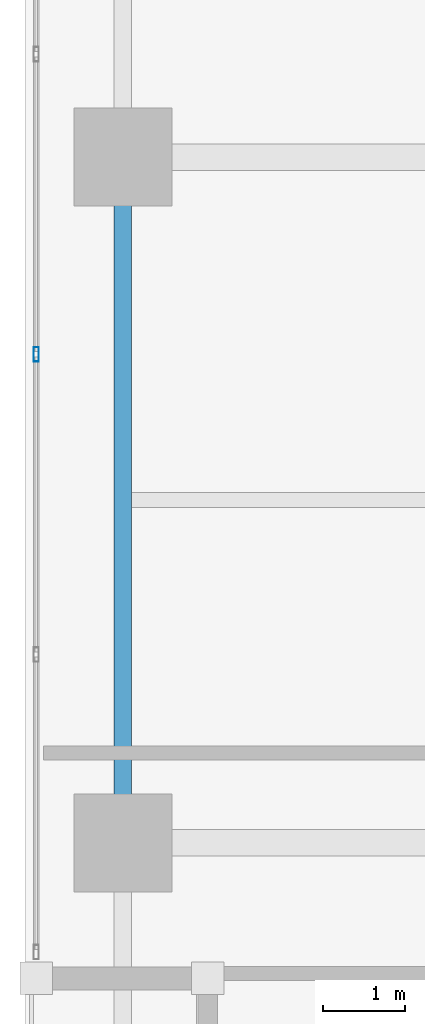
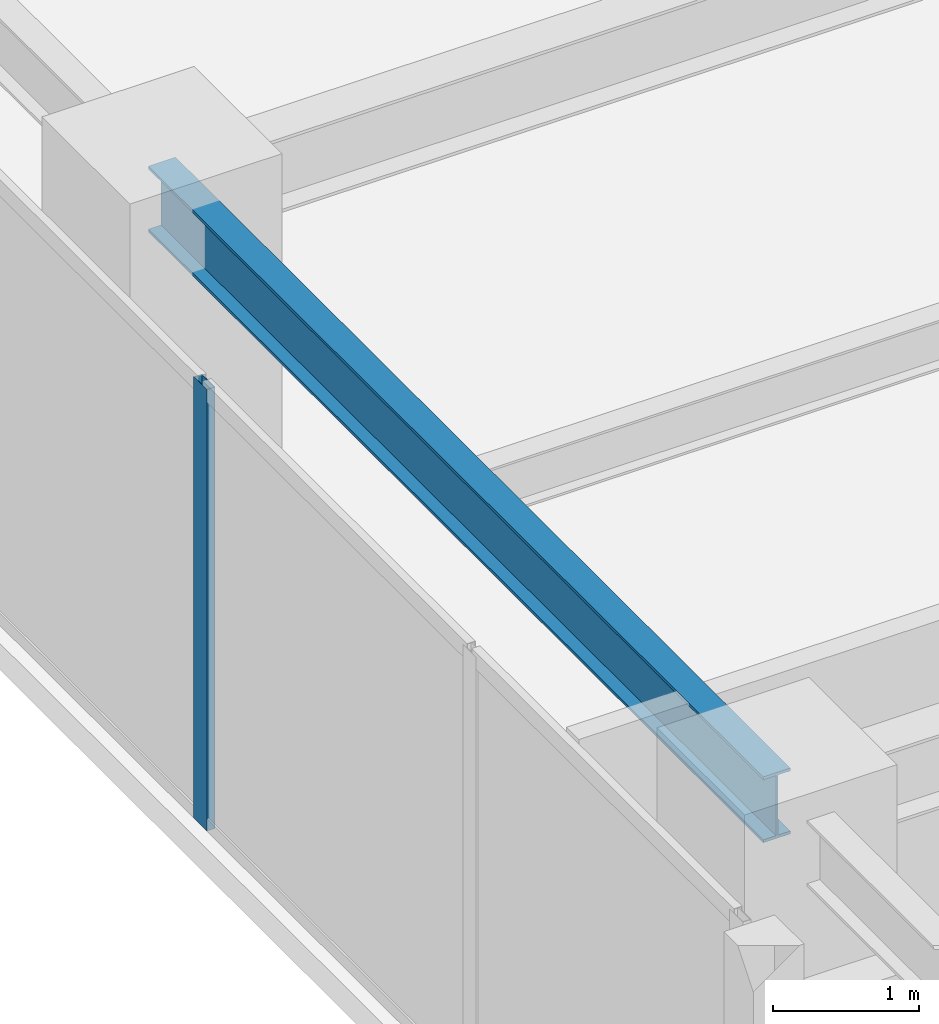
# One storey, part 5 of 30: 1 beam, 1 member, 1 element without a shape of its own.
"""IFC4 building model written with IfcOpenShell, lengths in metres."""

from ifc_helpers import new_model, si_unit, direction, frame, origin, origin_2d, place, context, subcontext, project, spatial, hollow_rectangle, i_section, extrude, material, layer, layer_set, material_profile, profile_set, type_object, element, aggregate, save


model = new_model("IFC4")

# Units and contexts
model_context = context("Model", 3, precision=1e-05, world=origin(), true_north=direction((0.0, 1.0)))
body_context = subcontext(model_context, "Body", "Model", "MODEL_VIEW")
ifc_project = project(units=[si_unit("LENGTHUNIT", "METRE"), si_unit("AREAUNIT", "SQUARE_METRE"), si_unit("VOLUMEUNIT", "CUBIC_METRE"), si_unit("PLANEANGLEUNIT", "RADIAN"), si_unit("MASSUNIT", "GRAM", prefix="KILO")], contexts=[model_context])

# Site, building, storey
site_placement = place(None, origin())
site = spatial("IfcSite", under=ifc_project, at=site_placement, CompositionType="ELEMENT")
building_placement = place(site_placement, origin())
building = spatial("IfcBuilding", under=site, at=building_placement, Name="Kiyonajd Concourse Tower", CompositionType="ELEMENT")
storey_placement = place(building_placement, frame((0.0, 0.0, 194.10009765625)))
storey = spatial("IfcBuildingStorey", under=building, at=storey_placement, Name="L49", CompositionType="ELEMENT", Elevation=194.10009765625)

# Beam
ifc_material_1 = material(Name="Steel ASTM A992 Grade 50", Category="steel")
ifc_material_profile_1 = material_profile(ifc_material_1, i_section(OverallWidth=0.214111328125, OverallDepth=0.549072265625, WebThickness=0.0146484375, FlangeThickness=0.023681640625, at=origin_2d()), Name="W530X138")
ifc_profile_set_1 = profile_set([ifc_material_profile_1], Name="Steel ASTM A992 Grade 50")
beam_type = type_object("IfcBeamType", Name="BM-SPAN-530A", PredefinedType="SPANDREL", material=ifc_profile_set_1)
beam_placement = place(storey_placement, frame((19.199951171875, 44.39990234375, 3.405517578125), z_axis=(0.0, -1.0, 0.0), x_axis=(1.0, 0.0, 0.0)))
element("IfcBeam", 1, at=beam_placement, inside=storey, type_object=beam_type, Name="L49 Perimeter Bundled Tube Spandrel", PredefinedType="SPANDREL", context=body_context, shape_type="SweptSolid", body=[
    extrude(i_section(OverallWidth=0.214111328125, OverallDepth=0.549072265625, WebThickness=0.0146484375, FlangeThickness=0.023681640625, at=origin_2d()), origin(), (0.0, 0.0, 1.0), 8.39990234375),
])

# Curtain wall, member
ifc_material_2 = material(Name="Thermally Broken Anodised Aluminium", Category="aluminium")
ifc_layer = layer(ifc_material_2, 0.179931640625)
ifc_layer_set = layer_set([ifc_layer], Name="Thermally Broken Anodised Aluminium")
curtain_wall_type = type_object("IfcCurtainWallType", Name="CW-SYS-03", PredefinedType="NOTDEFINED", material=ifc_layer_set)
curtain_wall_placement = place(storey_placement, origin())
curtain_wall = element("IfcCurtainWall", 2, at=curtain_wall_placement, inside=storey, type_object=curtain_wall_type, Name="L49 Unitised Curtain Wall CW3", PredefinedType="NOTDEFINED")
ifc_material_profile_2 = material_profile(ifc_material_2, hollow_rectangle(XDim=0.06494140625, YDim=0.179931640625, WallThickness=0.00390625, at=origin_2d()), Name="MULL-65x180")
ifc_profile_set_2 = profile_set([ifc_material_profile_2], Name="Thermally Broken Anodised Aluminium")
member_type = type_object("IfcMemberType", Name="MB-CW-MULL1", PredefinedType="MULLION", material=ifc_profile_set_2)
member_placement = place(storey_placement, frame((18.139892578125, 41.98388671875, 0.0), z_axis=(0.0, 0.0, 1.0), x_axis=(-1.0, 0.0, 0.0)))
member = element("IfcMember", 3, at=member_placement, type_object=member_type, Name="CW3 mullion 3", PredefinedType="MULLION", context=body_context, shape_type="SweptSolid", body=[
    extrude(hollow_rectangle(XDim=0.06494140625, YDim=0.179931640625, WallThickness=0.00390625, at=origin_2d()), origin(), (0.0, 0.0, 1.0), 3.679931640625),
])
aggregate(curtain_wall, [member])

save(model, "model.ifc")
